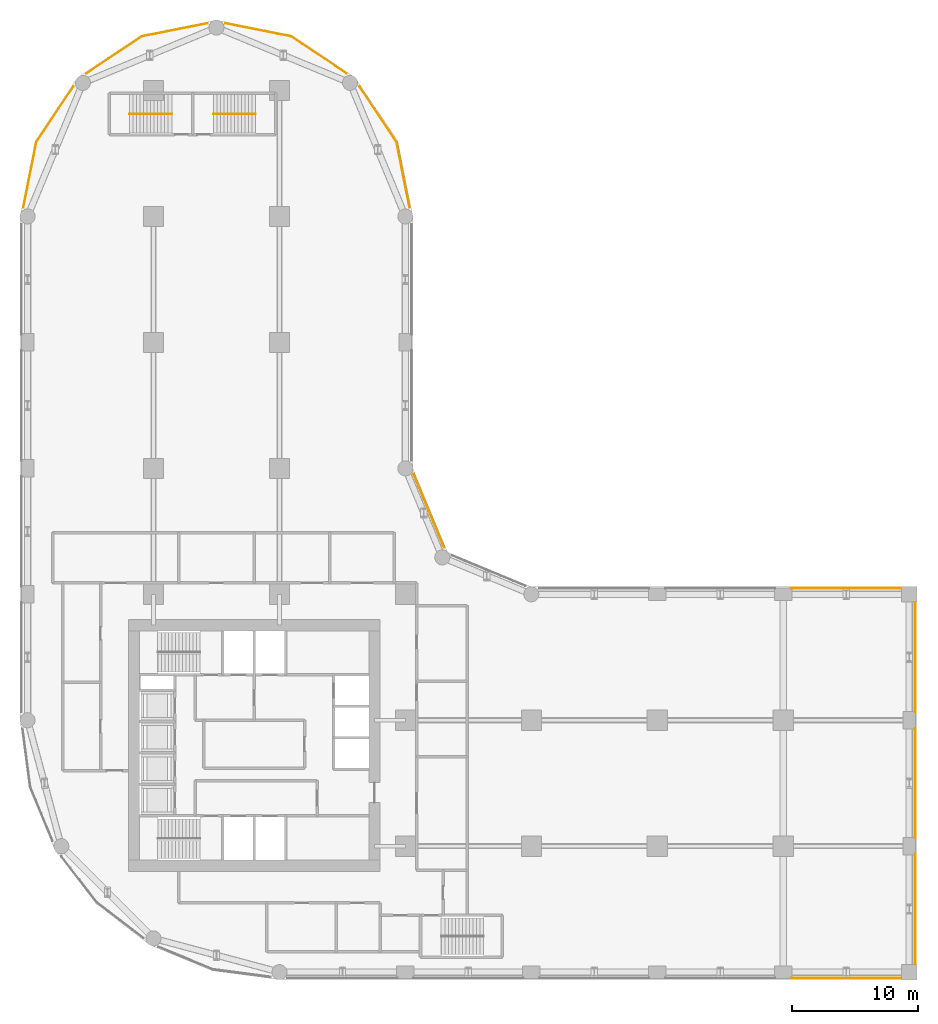
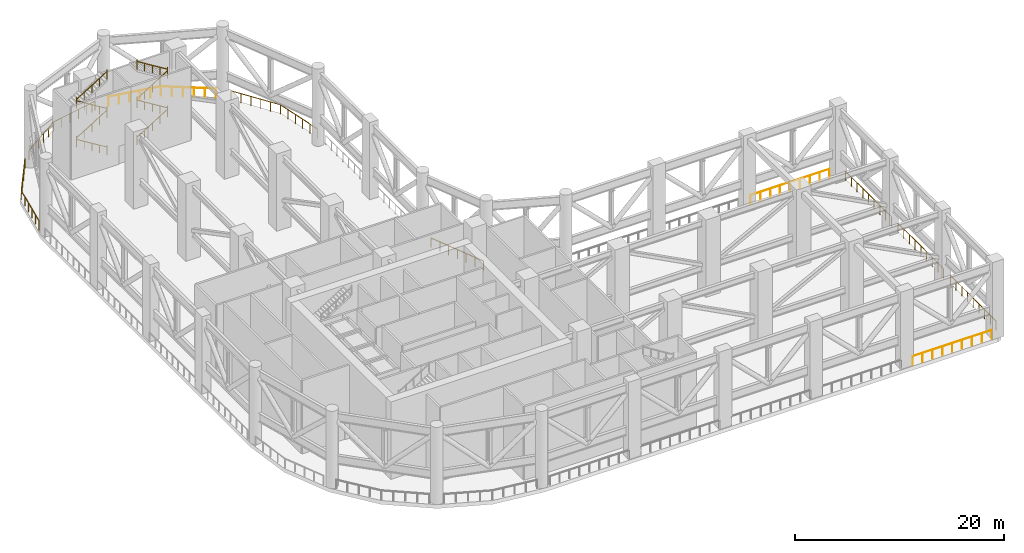
# One storey, part 13 of 14: 18 railings.
"""IFC4 building model written with IfcOpenShell, lengths in metres."""

from ifc_helpers import new_model, si_unit, direction, frame, origin, origin_2d, place, context, subcontext, project, spatial, circle, extrude, material, type_object, element, save


model = new_model("IFC4")

# Units and contexts
model_context = context("Model", 3, precision=1e-05, world=origin(), true_north=direction((0.0, 1.0)))
body_context = subcontext(model_context, "Body", "Model", "MODEL_VIEW")
ifc_project = project(units=[si_unit("LENGTHUNIT", "METRE"), si_unit("AREAUNIT", "SQUARE_METRE"), si_unit("VOLUMEUNIT", "CUBIC_METRE"), si_unit("PLANEANGLEUNIT", "RADIAN"), si_unit("MASSUNIT", "GRAM", prefix="KILO")], contexts=[model_context])

# Site, building, storey
site_placement = place(None, origin())
site = spatial("IfcSite", under=ifc_project, at=site_placement, CompositionType="ELEMENT")
building_placement = place(site_placement, origin())
building = spatial("IfcBuilding", under=site, at=building_placement, Name="Qaws Garden Tower", CompositionType="ELEMENT")
storey_placement = place(building_placement, frame((0.0, 0.0, 117.300048828125)))
storey = spatial("IfcBuildingStorey", under=building, at=storey_placement, Name="L29", CompositionType="ELEMENT", Elevation=117.300048828125)

# Railings
ifc_material_1 = material(Name="Steel S355", Category="steel")
railing_type_1 = type_object("IfcRailingType", Name="Guard steel balustrade 1100", PredefinedType="GUARDRAIL", material=ifc_material_1)
railing_1_placement = place(storey_placement, frame((69.361083984375, -0.47998046875, 0.0)))
element("IfcRailing", 1, at=railing_1_placement, inside=storey, type_object=railing_type_1, Name="Wind floor edge guard", PredefinedType="GUARDRAIL", context=body_context, shape_type="SweptSolid", body=[
    extrude(circle(Radius=0.02392578125, at=origin_2d()), frame((0.0, 0.0, 1.076171875), z_axis=(-1.0, 0.0, 0.0), x_axis=(0.0, -1.0, 0.0)), (0.0, 0.0, 1.0), 8.72216796875),
    extrude(circle(Radius=0.02099609375, at=origin_2d()), origin(), (0.0, 0.0, 1.0), 1.052001953125),
    extrude(circle(Radius=0.02099609375, at=origin_2d()), frame((-1.09033203125, 0.0, 0.0)), (0.0, 0.0, 1.0), 1.052001953125),
    extrude(circle(Radius=0.02099609375, at=origin_2d()), frame((-2.1806640625, 0.0, 0.0)), (0.0, 0.0, 1.0), 1.052001953125),
    extrude(circle(Radius=0.02099609375, at=origin_2d()), frame((-3.270751953125, 0.0, 0.0)), (0.0, 0.0, 1.0), 1.052001953125),
    extrude(circle(Radius=0.02099609375, at=origin_2d()), frame((-4.361083984375, 0.0, 0.0)), (0.0, 0.0, 1.0), 1.052001953125),
    extrude(circle(Radius=0.02099609375, at=origin_2d()), frame((-5.451416015625, 0.0, 0.0)), (0.0, 0.0, 1.0), 1.052001953125),
    extrude(circle(Radius=0.02099609375, at=origin_2d()), frame((-6.54150390625, 0.0, 0.0)), (0.0, 0.0, 1.0), 1.052001953125),
    extrude(circle(Radius=0.02099609375, at=origin_2d()), frame((-7.6318359375, 0.0, 0.0)), (0.0, 0.0, 1.0), 1.052001953125),
    extrude(circle(Radius=0.02099609375, at=origin_2d()), frame((-8.72216796875, 0.0, 0.0)), (0.0, 0.0, 1.0), 1.052001953125),
])
for number, where, name in (
    (2, (70.47998046875, 9.361083984375, 0.0), "Wind floor edge guard"),
    (3, (70.47998046875, 19.361083984375, 0.0), "Wind floor edge guard"),
    (4, (70.47998046875, 29.361083984375, 0.0), "Wind floor edge guard"),
):
    element("IfcRailing", number, at=place(storey_placement, frame(where)), inside=storey, type_object=railing_type_1, Name=name, PredefinedType="GUARDRAIL", context=body_context, shape_type="SweptSolid", body=[
        extrude(circle(Radius=0.02392578125, at=origin_2d()), frame((0.0, 0.0, 1.076171875), z_axis=(0.0, -1.0, 0.0), x_axis=(1.0, 0.0, 0.0)), (0.0, 0.0, 1.0), 8.72216796875),
        extrude(circle(Radius=0.02099609375, at=origin_2d()), origin(), (0.0, 0.0, 1.0), 1.052001953125),
        extrude(circle(Radius=0.02099609375, at=origin_2d()), frame((0.0, -1.09033203125, 0.0)), (0.0, 0.0, 1.0), 1.052001953125),
        extrude(circle(Radius=0.02099609375, at=origin_2d()), frame((0.0, -2.1806640625, 0.0)), (0.0, 0.0, 1.0), 1.052001953125),
        extrude(circle(Radius=0.02099609375, at=origin_2d()), frame((0.0, -3.270751953125, 0.0)), (0.0, 0.0, 1.0), 1.052001953125),
        extrude(circle(Radius=0.02099609375, at=origin_2d()), frame((0.0, -4.361083984375, 0.0)), (0.0, 0.0, 1.0), 1.052001953125),
        extrude(circle(Radius=0.02099609375, at=origin_2d()), frame((0.0, -5.451416015625, 0.0)), (0.0, 0.0, 1.0), 1.052001953125),
        extrude(circle(Radius=0.02099609375, at=origin_2d()), frame((0.0, -6.54150390625, 0.0)), (0.0, 0.0, 1.0), 1.052001953125),
        extrude(circle(Radius=0.02099609375, at=origin_2d()), frame((0.0, -7.6318359375, 0.0)), (0.0, 0.0, 1.0), 1.052001953125),
        extrude(circle(Radius=0.02099609375, at=origin_2d()), frame((0.0, -8.72216796875, 0.0)), (0.0, 0.0, 1.0), 1.052001953125),
    ])
railing_2_placement = place(storey_placement, frame((60.638916015625, 30.47998046875, 0.0)))
element("IfcRailing", 5, at=railing_2_placement, inside=storey, type_object=railing_type_1, Name="Wind floor edge guard", PredefinedType="GUARDRAIL", context=body_context, shape_type="SweptSolid", body=[
    extrude(circle(Radius=0.02392578125, at=origin_2d()), frame((0.0, 0.0, 1.076171875), z_axis=(1.0, 0.0, 0.0), x_axis=(0.0, 1.0, 0.0)), (0.0, 0.0, 1.0), 8.72216796875),
    extrude(circle(Radius=0.02099609375, at=origin_2d()), origin(), (0.0, 0.0, 1.0), 1.052001953125),
    extrude(circle(Radius=0.02099609375, at=origin_2d()), frame((1.09033203125, 0.0, 0.0)), (0.0, 0.0, 1.0), 1.052001953125),
    extrude(circle(Radius=0.02099609375, at=origin_2d()), frame((2.1806640625, 0.0, 0.0)), (0.0, 0.0, 1.0), 1.052001953125),
    extrude(circle(Radius=0.02099609375, at=origin_2d()), frame((3.270751953125, 0.0, 0.0)), (0.0, 0.0, 1.0), 1.052001953125),
    extrude(circle(Radius=0.02099609375, at=origin_2d()), frame((4.361083984375, 0.0, 0.0)), (0.0, 0.0, 1.0), 1.052001953125),
    extrude(circle(Radius=0.02099609375, at=origin_2d()), frame((5.451416015625, 0.0, 0.0)), (0.0, 0.0, 1.0), 1.052001953125),
    extrude(circle(Radius=0.02099609375, at=origin_2d()), frame((6.54150390625, 0.0, 0.0)), (0.0, 0.0, 1.0), 1.052001953125),
    extrude(circle(Radius=0.02099609375, at=origin_2d()), frame((7.6318359375, 0.0, 0.0)), (0.0, 0.0, 1.0), 1.052001953125),
    extrude(circle(Radius=0.02099609375, at=origin_2d()), frame((8.72216796875, 0.0, 0.0)), (0.0, 0.0, 1.0), 1.052001953125),
])
railing_3_placement = place(storey_placement, frame((30.658203125, 39.546142578125, 0.0)))
element("IfcRailing", 6, at=railing_3_placement, inside=storey, type_object=railing_type_1, Name="Wind floor edge guard", PredefinedType="GUARDRAIL", context=body_context, shape_type="SweptSolid", body=[
    extrude(circle(Radius=0.02392578125, at=origin_2d()), frame((0.0, 0.0, 1.076171875), z_axis=(0.382661556961, -0.923888593297, 0.0), x_axis=(0.923888593297, 0.382661556961, 0.0)), (0.0, 0.0, 1.0), 6.311279296875),
    extrude(circle(Radius=0.02099609375, at=origin_2d()), origin(), (0.0, 0.0, 1.0), 1.052001953125),
    extrude(circle(Radius=0.02099609375, at=origin_2d()), frame((0.402587890625, -0.9716796875, 0.0)), (0.0, 0.0, 1.0), 1.052001953125),
    extrude(circle(Radius=0.02099609375, at=origin_2d()), frame((0.804931640625, -1.943603515625, 0.0)), (0.0, 0.0, 1.0), 1.052001953125),
    extrude(circle(Radius=0.02099609375, at=origin_2d()), frame((1.20751953125, -2.91552734375, 0.0)), (0.0, 0.0, 1.0), 1.052001953125),
    extrude(circle(Radius=0.02099609375, at=origin_2d()), frame((1.610107421875, -3.88720703125, 0.0)), (0.0, 0.0, 1.0), 1.052001953125),
    extrude(circle(Radius=0.02099609375, at=origin_2d()), frame((2.012451171875, -4.85888671875, 0.0)), (0.0, 0.0, 1.0), 1.052001953125),
    extrude(circle(Radius=0.02099609375, at=origin_2d()), frame((2.4150390625, -5.830810546875, 0.0)), (0.0, 0.0, 1.0), 1.052001953125),
])
railing_4_placement = place(storey_placement, frame((-0.333251953125, 60.726318359375, 0.0)))
element("IfcRailing", 7, at=railing_4_placement, inside=storey, type_object=railing_type_1, Name="Wind floor edge guard", PredefinedType="GUARDRAIL", context=body_context, shape_type="SweptSolid", body=[
    extrude(circle(Radius=0.02392578125, at=origin_2d()), frame((0.0, 0.0, 1.076171875), z_axis=(0.195088165617, 0.980785709335, 0.0), x_axis=(-0.980785709335, 0.195088165617, 0.0)), (0.0, 0.0, 1.0), 5.298583984375),
    extrude(circle(Radius=0.02392578125, at=origin_2d()), frame((1.03369140625, 5.19677734375, 1.076171875), z_axis=(0.555593056066, 0.831454361977, 0.0), x_axis=(-0.831454361977, 0.555593056066, 0.0)), (0.0, 0.0, 1.0), 5.298583984375),
    extrude(circle(Radius=0.02099609375, at=origin_2d()), origin(), (0.0, 0.0, 1.0), 1.052001953125),
    extrude(circle(Radius=0.02099609375, at=origin_2d()), frame((0.206787109375, 1.039306640625, 0.0)), (0.0, 0.0, 1.0), 1.052001953125),
    extrude(circle(Radius=0.02099609375, at=origin_2d()), frame((0.41357421875, 2.07861328125, 0.0)), (0.0, 0.0, 1.0), 1.052001953125),
    extrude(circle(Radius=0.02099609375, at=origin_2d()), frame((0.6201171875, 3.1181640625, 0.0)), (0.0, 0.0, 1.0), 1.052001953125),
    extrude(circle(Radius=0.02099609375, at=origin_2d()), frame((0.826904296875, 4.157470703125, 0.0)), (0.0, 0.0, 1.0), 1.052001953125),
    extrude(circle(Radius=0.02099609375, at=origin_2d()), frame((1.03369140625, 5.19677734375, 0.0)), (0.0, 0.0, 1.0), 1.052001953125),
    extrude(circle(Radius=0.02099609375, at=origin_2d()), frame((1.62255859375, 6.077880859375, 0.0)), (0.0, 0.0, 1.0), 1.052001953125),
    extrude(circle(Radius=0.02099609375, at=origin_2d()), frame((2.211181640625, 6.958984375, 0.0)), (0.0, 0.0, 1.0), 1.052001953125),
    extrude(circle(Radius=0.02099609375, at=origin_2d()), frame((2.800048828125, 7.840087890625, 0.0)), (0.0, 0.0, 1.0), 1.052001953125),
    extrude(circle(Radius=0.02099609375, at=origin_2d()), frame((3.388671875, 8.72119140625, 0.0)), (0.0, 0.0, 1.0), 1.052001953125),
    extrude(circle(Radius=0.02099609375, at=origin_2d()), frame((3.9775390625, 9.602294921875, 0.0)), (0.0, 0.0, 1.0), 1.052001953125),
])
railing_5_placement = place(storey_placement, frame((26.355712890625, 70.32861328125, 0.0)))
element("IfcRailing", 8, at=railing_5_placement, inside=storey, type_object=railing_type_1, Name="Wind floor edge guard", PredefinedType="GUARDRAIL", context=body_context, shape_type="SweptSolid", body=[
    extrude(circle(Radius=0.02392578125, at=origin_2d()), frame((0.0, 0.0, 1.076171875), z_axis=(0.555593056066, -0.831454361977, 0.0), x_axis=(0.831454361977, 0.555593056066, 0.0)), (0.0, 0.0, 1.0), 5.298583984375),
    extrude(circle(Radius=0.02392578125, at=origin_2d()), frame((2.94384765625, -4.405517578125, 1.076171875), z_axis=(0.195088165617, -0.980785709335, 0.0), x_axis=(0.980785709335, 0.195088165617, 0.0)), (0.0, 0.0, 1.0), 5.298583984375),
    extrude(circle(Radius=0.02099609375, at=origin_2d()), origin(), (0.0, 0.0, 1.0), 1.052001953125),
    extrude(circle(Radius=0.02099609375, at=origin_2d()), frame((0.5888671875, -0.881103515625, 0.0)), (0.0, 0.0, 1.0), 1.052001953125),
    extrude(circle(Radius=0.02099609375, at=origin_2d()), frame((1.177490234375, -1.76220703125, 0.0)), (0.0, 0.0, 1.0), 1.052001953125),
    extrude(circle(Radius=0.02099609375, at=origin_2d()), frame((1.766357421875, -2.643310546875, 0.0)), (0.0, 0.0, 1.0), 1.052001953125),
    extrude(circle(Radius=0.02099609375, at=origin_2d()), frame((2.35498046875, -3.5244140625, 0.0)), (0.0, 0.0, 1.0), 1.052001953125),
    extrude(circle(Radius=0.02099609375, at=origin_2d()), frame((2.94384765625, -4.405517578125, 0.0)), (0.0, 0.0, 1.0), 1.052001953125),
    extrude(circle(Radius=0.02099609375, at=origin_2d()), frame((3.150634765625, -5.44482421875, 0.0)), (0.0, 0.0, 1.0), 1.052001953125),
    extrude(circle(Radius=0.02099609375, at=origin_2d()), frame((3.357421875, -6.484130859375, 0.0)), (0.0, 0.0, 1.0), 1.052001953125),
    extrude(circle(Radius=0.02099609375, at=origin_2d()), frame((3.56396484375, -7.523681640625, 0.0)), (0.0, 0.0, 1.0), 1.052001953125),
    extrude(circle(Radius=0.02099609375, at=origin_2d()), frame((3.770751953125, -8.56298828125, 0.0)), (0.0, 0.0, 1.0), 1.052001953125),
    extrude(circle(Radius=0.02099609375, at=origin_2d()), frame((3.9775390625, -9.602294921875, 0.0)), (0.0, 0.0, 1.0), 1.052001953125),
])
railing_6_placement = place(storey_placement, frame((4.67138671875, 71.355712890625, 0.0)))
element("IfcRailing", 9, at=railing_6_placement, inside=storey, type_object=railing_type_1, Name="Wind floor edge guard", PredefinedType="GUARDRAIL", context=body_context, shape_type="SweptSolid", body=[
    extrude(circle(Radius=0.02392578125, at=origin_2d()), frame((0.0, 0.0, 1.076171875), z_axis=(0.831454361977, 0.555593056066, 0.0), x_axis=(-0.555593056066, 0.831454361977, 0.0)), (0.0, 0.0, 1.0), 5.298583984375),
    extrude(circle(Radius=0.02392578125, at=origin_2d()), frame((4.405517578125, 2.94384765625, 1.076171875), z_axis=(0.980785709335, 0.195088165617, 0.0), x_axis=(-0.195088165617, 0.980785709335, 0.0)), (0.0, 0.0, 1.0), 5.298583984375),
    extrude(circle(Radius=0.02099609375, at=origin_2d()), origin(), (0.0, 0.0, 1.0), 1.052001953125),
    extrude(circle(Radius=0.02099609375, at=origin_2d()), frame((0.881103515625, 0.5888671875, 0.0)), (0.0, 0.0, 1.0), 1.052001953125),
    extrude(circle(Radius=0.02099609375, at=origin_2d()), frame((1.76220703125, 1.177490234375, 0.0)), (0.0, 0.0, 1.0), 1.052001953125),
    extrude(circle(Radius=0.02099609375, at=origin_2d()), frame((2.643310546875, 1.766357421875, 0.0)), (0.0, 0.0, 1.0), 1.052001953125),
    extrude(circle(Radius=0.02099609375, at=origin_2d()), frame((3.5244140625, 2.35498046875, 0.0)), (0.0, 0.0, 1.0), 1.052001953125),
    extrude(circle(Radius=0.02099609375, at=origin_2d()), frame((4.405517578125, 2.94384765625, 0.0)), (0.0, 0.0, 1.0), 1.052001953125),
    extrude(circle(Radius=0.02099609375, at=origin_2d()), frame((5.44482421875, 3.150634765625, 0.0)), (0.0, 0.0, 1.0), 1.052001953125),
    extrude(circle(Radius=0.02099609375, at=origin_2d()), frame((6.484130859375, 3.357421875, 0.0)), (0.0, 0.0, 1.0), 1.052001953125),
    extrude(circle(Radius=0.02099609375, at=origin_2d()), frame((7.523681640625, 3.56396484375, 0.0)), (0.0, 0.0, 1.0), 1.052001953125),
    extrude(circle(Radius=0.02099609375, at=origin_2d()), frame((8.56298828125, 3.770751953125, 0.0)), (0.0, 0.0, 1.0), 1.052001953125),
    extrude(circle(Radius=0.02099609375, at=origin_2d()), frame((9.602294921875, 3.9775390625, 0.0)), (0.0, 0.0, 1.0), 1.052001953125),
])
railing_7_placement = place(storey_placement, frame((15.726318359375, 75.333251953125, 0.0)))
element("IfcRailing", 10, at=railing_7_placement, inside=storey, type_object=railing_type_1, Name="Wind floor edge guard", PredefinedType="GUARDRAIL", context=body_context, shape_type="SweptSolid", body=[
    extrude(circle(Radius=0.02392578125, at=origin_2d()), frame((0.0, 0.0, 1.076171875), z_axis=(0.980785709335, -0.195088165617, 0.0), x_axis=(0.195088165617, 0.980785709335, 0.0)), (0.0, 0.0, 1.0), 5.298583984375),
    extrude(circle(Radius=0.02392578125, at=origin_2d()), frame((5.19677734375, -1.03369140625, 1.076171875), z_axis=(0.831454361977, -0.555593056066, 0.0), x_axis=(0.555593056066, 0.831454361977, 0.0)), (0.0, 0.0, 1.0), 5.298583984375),
    extrude(circle(Radius=0.02099609375, at=origin_2d()), origin(), (0.0, 0.0, 1.0), 1.052001953125),
    extrude(circle(Radius=0.02099609375, at=origin_2d()), frame((1.039306640625, -0.206787109375, 0.0)), (0.0, 0.0, 1.0), 1.052001953125),
    extrude(circle(Radius=0.02099609375, at=origin_2d()), frame((2.07861328125, -0.41357421875, 0.0)), (0.0, 0.0, 1.0), 1.052001953125),
    extrude(circle(Radius=0.02099609375, at=origin_2d()), frame((3.1181640625, -0.6201171875, 0.0)), (0.0, 0.0, 1.0), 1.052001953125),
    extrude(circle(Radius=0.02099609375, at=origin_2d()), frame((4.157470703125, -0.826904296875, 0.0)), (0.0, 0.0, 1.0), 1.052001953125),
    extrude(circle(Radius=0.02099609375, at=origin_2d()), frame((5.19677734375, -1.03369140625, 0.0)), (0.0, 0.0, 1.0), 1.052001953125),
    extrude(circle(Radius=0.02099609375, at=origin_2d()), frame((6.077880859375, -1.62255859375, 0.0)), (0.0, 0.0, 1.0), 1.052001953125),
    extrude(circle(Radius=0.02099609375, at=origin_2d()), frame((6.958984375, -2.211181640625, 0.0)), (0.0, 0.0, 1.0), 1.052001953125),
    extrude(circle(Radius=0.02099609375, at=origin_2d()), frame((7.840087890625, -2.800048828125, 0.0)), (0.0, 0.0, 1.0), 1.052001953125),
    extrude(circle(Radius=0.02099609375, at=origin_2d()), frame((8.72119140625, -3.388671875, 0.0)), (0.0, 0.0, 1.0), 1.052001953125),
    extrude(circle(Radius=0.02099609375, at=origin_2d()), frame((9.602294921875, -3.9775390625, 0.0)), (0.0, 0.0, 1.0), 1.052001953125),
])
ifc_material_2 = material(Name="Steel S355", Category="steel")
railing_type_2 = type_object("IfcRailingType", Name="Stair handrail 900", PredefinedType="HANDRAIL", material=ifc_material_2)
railing_8_placement = place(storey_placement, frame((11.449951171875, 68.14990234375, 0.173095703125)))
element("IfcRailing", 11, at=railing_8_placement, inside=storey, type_object=railing_type_2, Name="Stair 6 handrail", PredefinedType="HANDRAIL", context=body_context, shape_type="SweptSolid", body=[
    extrude(circle(Radius=0.02392578125, at=origin_2d()), frame((0.0, 0.0, 0.8759765625), z_axis=(-0.850606129759, 0.0, 0.525803396734), x_axis=(0.0, -1.0, 0.0)), (0.0, 0.0, 1.0), 3.949951171875),
    extrude(circle(Radius=0.02099609375, at=origin_2d()), origin(), (0.0, 0.0, 1.0), 1.072998046875),
    extrude(circle(Radius=0.02099609375, at=origin_2d()), frame((-0.83984375, 0.0, 0.519287109375)), (0.0, 0.0, 1.0), 0.851806640625),
    extrude(circle(Radius=0.02099609375, at=origin_2d()), frame((-1.679931640625, 0.0, 1.03857421875)), (0.0, 0.0, 1.0), 0.851806640625),
    extrude(circle(Radius=0.02099609375, at=origin_2d()), frame((-2.52001953125, 0.0, 1.5576171875)), (0.0, 0.0, 1.0), 0.851806640625),
    extrude(circle(Radius=0.02099609375, at=origin_2d()), frame((-3.35986328125, 0.0, 2.076904296875)), (0.0, 0.0, 1.0), 1.072998046875),
])
railing_9_placement = place(storey_placement, frame((8.090087890625, 68.14990234375, 2.423095703125)))
element("IfcRailing", 12, at=railing_9_placement, inside=storey, type_object=railing_type_2, Name="Stair 6 handrail", PredefinedType="HANDRAIL", context=body_context, shape_type="SweptSolid", body=[
    extrude(circle(Radius=0.02392578125, at=origin_2d()), frame((0.0, 0.0, 0.8759765625), z_axis=(0.850606129759, 0.0, 0.525803396734), x_axis=(0.0, 1.0, 0.0)), (0.0, 0.0, 1.0), 3.949951171875),
    extrude(circle(Radius=0.02099609375, at=origin_2d()), origin(), (0.0, 0.0, 1.0), 1.072998046875),
    extrude(circle(Radius=0.02099609375, at=origin_2d()), frame((0.83984375, 0.0, 0.519287109375)), (0.0, 0.0, 1.0), 0.851806640625),
    extrude(circle(Radius=0.02099609375, at=origin_2d()), frame((1.679931640625, 0.0, 1.03857421875)), (0.0, 0.0, 1.0), 0.851806640625),
    extrude(circle(Radius=0.02099609375, at=origin_2d()), frame((2.52001953125, 0.0, 1.5576171875)), (0.0, 0.0, 1.0), 0.851806640625),
    extrude(circle(Radius=0.02099609375, at=origin_2d()), frame((3.35986328125, 0.0, 2.076904296875)), (0.0, 0.0, 1.0), 1.072998046875),
])
railing_10_placement = place(storey_placement, frame((11.449951171875, 68.14990234375, 4.673095703125)))
element("IfcRailing", 13, at=railing_10_placement, inside=storey, type_object=railing_type_2, Name="Stair 6 handrail", PredefinedType="HANDRAIL", context=body_context, shape_type="SweptSolid", body=[
    extrude(circle(Radius=0.02392578125, at=origin_2d()), frame((0.0, 0.0, 0.8759765625), z_axis=(-0.850606129759, 0.0, 0.525803396734), x_axis=(0.0, -1.0, 0.0)), (0.0, 0.0, 1.0), 3.949951171875),
    extrude(circle(Radius=0.02099609375, at=origin_2d()), origin(), (0.0, 0.0, 1.0), 1.072998046875),
    extrude(circle(Radius=0.02099609375, at=origin_2d()), frame((-0.83984375, 0.0, 0.519287109375)), (0.0, 0.0, 1.0), 0.851806640625),
    extrude(circle(Radius=0.02099609375, at=origin_2d()), frame((-1.679931640625, 0.0, 1.03857421875)), (0.0, 0.0, 1.0), 0.851806640625),
    extrude(circle(Radius=0.02099609375, at=origin_2d()), frame((-2.52001953125, 0.0, 1.5576171875)), (0.0, 0.0, 1.0), 0.851806640625),
    extrude(circle(Radius=0.02099609375, at=origin_2d()), frame((-3.35986328125, 0.0, 2.076904296875)), (0.0, 0.0, 1.0), 1.072998046875),
])
railing_11_placement = place(storey_placement, frame((8.090087890625, 68.14990234375, 6.923095703125)))
element("IfcRailing", 14, at=railing_11_placement, inside=storey, type_object=railing_type_2, Name="Stair 6 handrail", PredefinedType="HANDRAIL", context=body_context, shape_type="SweptSolid", body=[
    extrude(circle(Radius=0.02392578125, at=origin_2d()), frame((0.0, 0.0, 0.8759765625), z_axis=(0.850606129759, 0.0, 0.525803396734), x_axis=(0.0, 1.0, 0.0)), (0.0, 0.0, 1.0), 3.949951171875),
    extrude(circle(Radius=0.02099609375, at=origin_2d()), origin(), (0.0, 0.0, 1.0), 1.072998046875),
    extrude(circle(Radius=0.02099609375, at=origin_2d()), frame((0.83984375, 0.0, 0.519287109375)), (0.0, 0.0, 1.0), 0.851806640625),
    extrude(circle(Radius=0.02099609375, at=origin_2d()), frame((1.679931640625, 0.0, 1.03857421875)), (0.0, 0.0, 1.0), 0.851806640625),
    extrude(circle(Radius=0.02099609375, at=origin_2d()), frame((2.52001953125, 0.0, 1.5576171875)), (0.0, 0.0, 1.0), 0.851806640625),
    extrude(circle(Radius=0.02099609375, at=origin_2d()), frame((3.35986328125, 0.0, 2.076904296875)), (0.0, 0.0, 1.0), 1.072998046875),
])
railing_12_placement = place(storey_placement, frame((14.75, 68.14990234375, 0.173095703125)))
element("IfcRailing", 15, at=railing_12_placement, inside=storey, type_object=railing_type_2, Name="Stair 7 handrail", PredefinedType="HANDRAIL", context=body_context, shape_type="SweptSolid", body=[
    extrude(circle(Radius=0.02392578125, at=origin_2d()), frame((0.0, 0.0, 0.8759765625), z_axis=(0.850623216509, 0.0, 0.525775754039), x_axis=(0.0, 1.0, 0.0)), (0.0, 0.0, 1.0), 3.9501953125),
    extrude(circle(Radius=0.02099609375, at=origin_2d()), origin(), (0.0, 0.0, 1.0), 1.072998046875),
    extrude(circle(Radius=0.02099609375, at=origin_2d()), frame((0.840087890625, 0.0, 0.519287109375)), (0.0, 0.0, 1.0), 0.851806640625),
    extrude(circle(Radius=0.02099609375, at=origin_2d()), frame((1.68017578125, 0.0, 1.03857421875)), (0.0, 0.0, 1.0), 0.851806640625),
    extrude(circle(Radius=0.02099609375, at=origin_2d()), frame((2.52001953125, 0.0, 1.5576171875)), (0.0, 0.0, 1.0), 0.851806640625),
    extrude(circle(Radius=0.02099609375, at=origin_2d()), frame((3.360107421875, 0.0, 2.076904296875)), (0.0, 0.0, 1.0), 1.072998046875),
])
railing_13_placement = place(storey_placement, frame((18.110107421875, 68.14990234375, 2.423095703125)))
element("IfcRailing", 16, at=railing_13_placement, inside=storey, type_object=railing_type_2, Name="Stair 7 handrail", PredefinedType="HANDRAIL", context=body_context, shape_type="SweptSolid", body=[
    extrude(circle(Radius=0.02392578125, at=origin_2d()), frame((0.0, 0.0, 0.8759765625), z_axis=(-0.850623216509, 0.0, 0.525775754039), x_axis=(0.0, -1.0, 0.0)), (0.0, 0.0, 1.0), 3.9501953125),
    extrude(circle(Radius=0.02099609375, at=origin_2d()), origin(), (0.0, 0.0, 1.0), 1.072998046875),
    extrude(circle(Radius=0.02099609375, at=origin_2d()), frame((-0.840087890625, 0.0, 0.519287109375)), (0.0, 0.0, 1.0), 0.851806640625),
    extrude(circle(Radius=0.02099609375, at=origin_2d()), frame((-1.68017578125, 0.0, 1.03857421875)), (0.0, 0.0, 1.0), 0.851806640625),
    extrude(circle(Radius=0.02099609375, at=origin_2d()), frame((-2.52001953125, 0.0, 1.5576171875)), (0.0, 0.0, 1.0), 0.851806640625),
    extrude(circle(Radius=0.02099609375, at=origin_2d()), frame((-3.360107421875, 0.0, 2.076904296875)), (0.0, 0.0, 1.0), 1.072998046875),
])
railing_14_placement = place(storey_placement, frame((14.75, 68.14990234375, 4.673095703125)))
element("IfcRailing", 17, at=railing_14_placement, inside=storey, type_object=railing_type_2, Name="Stair 7 handrail", PredefinedType="HANDRAIL", context=body_context, shape_type="SweptSolid", body=[
    extrude(circle(Radius=0.02392578125, at=origin_2d()), frame((0.0, 0.0, 0.8759765625), z_axis=(0.850623216509, 0.0, 0.525775754039), x_axis=(0.0, 1.0, 0.0)), (0.0, 0.0, 1.0), 3.9501953125),
    extrude(circle(Radius=0.02099609375, at=origin_2d()), origin(), (0.0, 0.0, 1.0), 1.072998046875),
    extrude(circle(Radius=0.02099609375, at=origin_2d()), frame((0.840087890625, 0.0, 0.519287109375)), (0.0, 0.0, 1.0), 0.851806640625),
    extrude(circle(Radius=0.02099609375, at=origin_2d()), frame((1.68017578125, 0.0, 1.03857421875)), (0.0, 0.0, 1.0), 0.851806640625),
    extrude(circle(Radius=0.02099609375, at=origin_2d()), frame((2.52001953125, 0.0, 1.5576171875)), (0.0, 0.0, 1.0), 0.851806640625),
    extrude(circle(Radius=0.02099609375, at=origin_2d()), frame((3.360107421875, 0.0, 2.076904296875)), (0.0, 0.0, 1.0), 1.072998046875),
])
railing_15_placement = place(storey_placement, frame((18.110107421875, 68.14990234375, 6.923095703125)))
element("IfcRailing", 18, at=railing_15_placement, inside=storey, type_object=railing_type_2, Name="Stair 7 handrail", PredefinedType="HANDRAIL", context=body_context, shape_type="SweptSolid", body=[
    extrude(circle(Radius=0.02392578125, at=origin_2d()), frame((0.0, 0.0, 0.8759765625), z_axis=(-0.850623216509, 0.0, 0.525775754039), x_axis=(0.0, -1.0, 0.0)), (0.0, 0.0, 1.0), 3.9501953125),
    extrude(circle(Radius=0.02099609375, at=origin_2d()), origin(), (0.0, 0.0, 1.0), 1.072998046875),
    extrude(circle(Radius=0.02099609375, at=origin_2d()), frame((-0.840087890625, 0.0, 0.519287109375)), (0.0, 0.0, 1.0), 0.851806640625),
    extrude(circle(Radius=0.02099609375, at=origin_2d()), frame((-1.68017578125, 0.0, 1.03857421875)), (0.0, 0.0, 1.0), 0.851806640625),
    extrude(circle(Radius=0.02099609375, at=origin_2d()), frame((-2.52001953125, 0.0, 1.5576171875)), (0.0, 0.0, 1.0), 0.851806640625),
    extrude(circle(Radius=0.02099609375, at=origin_2d()), frame((-3.360107421875, 0.0, 2.076904296875)), (0.0, 0.0, 1.0), 1.072998046875),
])

save(model, "model.ifc")
